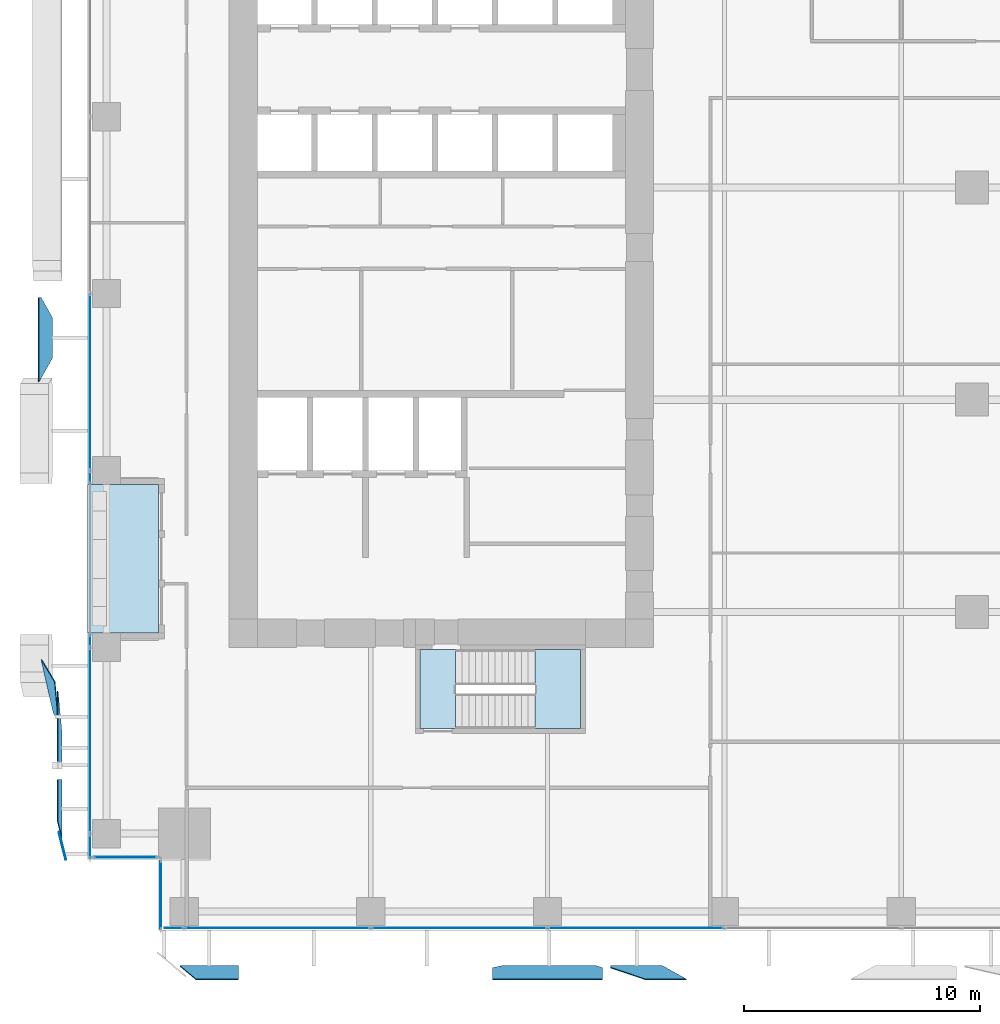
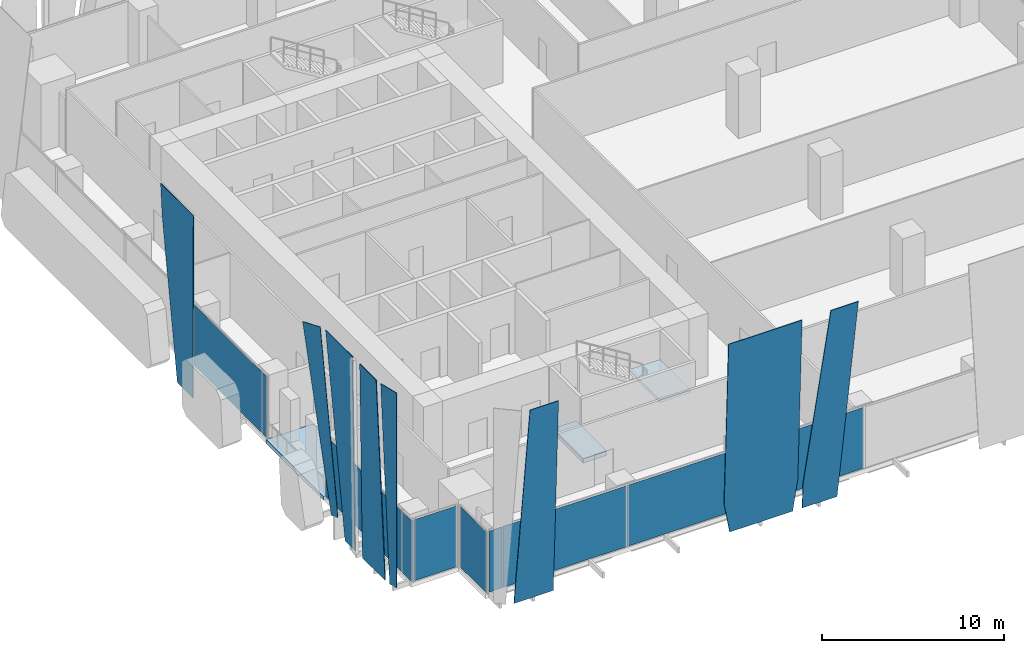
# One storey, part 23 of 36: 19 plates, 3 slabs, 6 elements without a shape of their own.
"""IFC4 building model written with IfcOpenShell, lengths in metres."""

from ifc_helpers import new_model, si_unit, direction, frame, origin, origin_2d, place, context, subcontext, project, spatial, polyline, rectangle, outline, extrude, source, transform, mapped, material, layer, layer_set, type_object, element, aggregate, save


model = new_model("IFC4")

# Units and contexts
model_context = context("Model", 3, precision=1e-05, world=origin(), true_north=direction((0.0, 1.0)))
body_context = subcontext(model_context, "Body", "Model", "MODEL_VIEW")
ifc_project = project(units=[si_unit("LENGTHUNIT", "METRE"), si_unit("AREAUNIT", "SQUARE_METRE"), si_unit("VOLUMEUNIT", "CUBIC_METRE"), si_unit("PLANEANGLEUNIT", "RADIAN"), si_unit("MASSUNIT", "GRAM", prefix="KILO")], contexts=[model_context])

# Site, building, storey
site_placement = place(None, origin())
site = spatial("IfcSite", under=ifc_project, at=site_placement, CompositionType="ELEMENT")
building_placement = place(site_placement, origin())
building = spatial("IfcBuilding", under=site, at=building_placement, Name="Khomas Fold Tower", CompositionType="ELEMENT")
storey_placement = place(building_placement, frame((0.0, 0.0, 46.5)))
storey = spatial("IfcBuildingStorey", under=building, at=storey_placement, Name="L09", CompositionType="ELEMENT", Elevation=46.5)

# Plates
ifc_material_1 = material(Name="Clear laminated glass", Category="glass")
ifc_layer_1 = layer(ifc_material_1, 0.0400390625)
ifc_layer_set_1 = layer_set([ifc_layer_1], Name="Clear laminated glass")
plate_type_1 = type_object("IfcPlateType", Name="SK-Clear laminated glass leaf", PredefinedType="SHEET", material=ifc_layer_set_1)
plate_1_placement = place(storey_placement, frame((6.39990234375, -1.4912109375, 0.0), z_axis=(0.0, 0.99904235518, 0.043753543365), x_axis=(-1.0, 0.0, 0.0)))
element("IfcPlate", 1, at=plate_1_placement, inside=storey, type_object=plate_type_1, Name="OUTER SKIN glass L09 SG098-1", PredefinedType="SHEET", context=body_context, shape_type="SweptSolid", body=[
    extrude(outline(polyline([(0.0, 0.0), (2.490234375, 0.0), (1.80419921875, 13.062558119247587), (0.0, 13.062558119247587), (0.0, 0.0)])), origin(), (0.0, 0.0, -1.0), 0.0400390625),
])
plate_2_placement = place(storey_placement, frame((24.369384765625, -1.4912109375, 0.0), z_axis=(3.78458e-07, 0.999042357056, 0.043753500513), x_axis=(-1.0, 3.78096e-07, 1.6559e-08)))
element("IfcPlate", 2, at=plate_2_placement, inside=storey, type_object=plate_type_1, Name="OUTER SKIN glass L09 SG102-3", PredefinedType="SHEET", context=body_context, shape_type="SweptSolid", body=[
    extrude(outline(polyline([(0.0, 0.0), (2.1994628906248423, 0.0), (2.199462890625407, 1.6126282411776396), (0.7189941406247364, 13.062558119247575), (-1.0222167968751388, 13.062558119247575), (0.0, 0.0)])), origin(), (0.0, 0.0, -1.0), 0.0400390625),
])
plate_3_placement = place(storey_placement, frame((21.55810546875, -1.4912109375, 0.0), z_axis=(1.3527666e-05, 0.999042347818, 0.043753709361), x_axis=(-0.999999999909, 1.3514711e-05, 5.91886e-07)))
element("IfcPlate", 3, at=plate_3_placement, inside=storey, type_object=plate_type_1, Name="OUTER SKIN glass L09 SG101-4", PredefinedType="SHEET", context=body_context, shape_type="SweptSolid", body=[
    extrude(outline(polyline([(0.0, 0.0), (3.9851074215103672, 4.2193966058447096e-22), (4.388183594433093, 2.06080791959904), (4.388183593377847, 13.062558119247408), (-0.27197265619575356, 13.062558119247408), (-0.27197265682636207, 2.102601442833285), (0.0, 0.0)])), origin(), (0.0, 0.0, -1.0), 0.0400390625),
])
plate_4_placement = place(storey_placement, frame((-1.077392578125, 6.39990234375, 0.0), z_axis=(0.999913772879, 0.0, 0.013131900334), x_axis=(0.0, -1.0, 0.0)))
element("IfcPlate", 4, at=plate_4_placement, inside=storey, type_object=plate_type_1, Name="OUTER SKIN glass L09 WG098-1", PredefinedType="SHEET", context=body_context, shape_type="SweptSolid", body=[
    extrude(outline(polyline([(0.0, 0.0), (2.490234375, 0.0), (1.80419921875, -13.05117419329811), (0.0, -13.05117419329811), (0.0, 0.0)])), origin(), (0.0, 0.0, -1.0), 0.0400390625),
])
plate_5_placement = place(storey_placement, frame((-1.237548828125, 4.185302734375, 13.050048828125), z_axis=(-0.970117971855, -0.242633717069, 5.007156e-06), x_axis=(0.013118658872, -0.052472701317, -0.998536186828)))
element("IfcPlate", 5, at=plate_5_placement, inside=storey, type_object=plate_type_1, Name="OUTER SKIN glass L09 WG098-2", PredefinedType="SHEET", context=body_context, shape_type="SweptSolid", body=[
    extrude(outline(polyline([(0.0, 0.0), (13.069179665788237, -1.1102230246251565e-16), (13.097574684069027, 0.5242122123253874), (0.06662868930792525, 1.230059854381724), (0.0, 0.0)])), origin(), (0.0, 0.0, -1.0), 0.0400390625),
])
plate_6_placement = place(storey_placement, frame((-1.077392578125, 8.30126953125, 0.0), z_axis=(0.999913772879, 0.0, 0.013131900334), x_axis=(0.0, -1.0, 0.0)))
element("IfcPlate", 6, at=plate_6_placement, inside=storey, type_object=plate_type_1, Name="OUTER SKIN glass L09 WG099-4", PredefinedType="SHEET", context=body_context, shape_type="SweptSolid", body=[
    extrude(outline(polyline([(0.0, 0.0), (1.13134765625, 0.0), (1.13134765625, -13.05117419329811), (-1.83984375, -13.05117419329811), (0.0, 0.0)])), origin(), (0.0, 0.0, -1.0), 0.0400390625),
])
plate_7_placement = place(storey_placement, frame((-1.404296875, 10.5244140625, 13.052490234375), z_axis=(-0.855931565456, -0.51346242378, 0.061135052319), x_axis=(-0.514424919135, 0.857535423494, -5.05962e-06)))
element("IfcPlate", 7, at=plate_7_placement, inside=storey, type_object=plate_type_1, Name="OUTER SKIN glass L09 WG099-5", PredefinedType="SHEET", context=body_context, shape_type="SweptSolid", body=[
    extrude(outline(polyline([(0.0, 0.0), (1.1089627711250831, -3.469446951953614e-18), (-1.1003376057080787, 11.822167721156822), (-1.5062650519393117, 11.82217540028891), (0.0, 0.0)])), origin(), (0.0, 0.0, -1.0), 0.0400390625),
])
plate_8_placement = place(storey_placement, frame((-2.062744140625, 23.243408203125, 13.050048828125), z_axis=(0.999042328872, -9.213671e-06, 0.043754143093), x_axis=(9.204848e-06, 0.999999999958, 4.03136e-07)))
element("IfcPlate", 8, at=plate_8_placement, inside=storey, type_object=plate_type_1, Name="OUTER SKIN glass L09 WG102-6", PredefinedType="SHEET", context=body_context, shape_type="SweptSolid", body=[
    extrude(outline(polyline([(0.0, 0.0), (3.586669921722761, 1.8987672467213327e-22), (3.586669922172712, -2.1861778072652327), (2.7355957029366365, -13.062558119245233), (1.0219726561343723, -13.062558119245233), (0.0, 0.0)])), origin(), (0.0, 0.0, -1.0), 0.0400390625),
])

# Curtain wall, plates
ifc_material_2 = material(Name="Aluminium framed double glazing", Category="aluminium")
curtain_wall_type = type_object("IfcCurtainWallType", Name="SK-Unitised clear-glass wall, growing floors CW1", PredefinedType="NOTDEFINED", material=ifc_material_2)
curtain_wall_1_placement = place(storey_placement, origin())
curtain_wall_1 = element("IfcCurtainWall", 9, at=curtain_wall_1_placement, inside=storey, type_object=curtain_wall_type, Name="CW1 run L09 00-0", PredefinedType="NOTDEFINED")
ifc_material_3 = material(Name="Clear double glazed unit")
ifc_layer_2 = layer(ifc_material_3, 0.031982421875)
ifc_layer_set_2 = layer_set([ifc_layer_2], Name="Clear double glazed unit")
plate_type_2 = type_object("IfcPlateType", Name="SK-Unitised clear-glass wall, growing floors glass panel CW1-P", PredefinedType="CURTAIN_PANEL", material=ifc_layer_set_2)
shared_shape_1 = source(origin(), body_context, "Body", "SweptSolid", [
    extrude(rectangle(XDim=0.81005859375, YDim=0.031982421875, at=origin_2d()), origin(), (0.0, 0.0, 1.0), 4.080078125),
])
plate_9_placement = place(storey_placement, frame((3.6650390625, 0.10009765625, 0.0), z_axis=(0.0, 0.0, 1.0), x_axis=(1.0, 0.0, 0.0)))
plate_9 = element("IfcPlate", 10, at=plate_9_placement, type_object=plate_type_2, Name="CW1 glass panel 1", PredefinedType="CURTAIN_PANEL", context=body_context, shape_type="MappedRepresentation", body=[
    mapped(shared_shape_1, transform((0.0, 0.0, 0.0))),
])
shared_shape_2 = source(origin(), body_context, "Body", "SweptSolid", [
    extrude(rectangle(XDim=7.840087890625, YDim=0.031982421875, at=origin_2d()), origin(), (0.0, 0.0, 1.0), 4.080078125),
])
plate_10_placement = place(storey_placement, frame((8.050048828125, 0.10009765625, 0.0), z_axis=(0.0, 0.0, 1.0), x_axis=(1.0, 0.0, 0.0)))
plate_10 = element("IfcPlate", 11, at=plate_10_placement, type_object=plate_type_2, Name="CW1 glass panel 2", PredefinedType="CURTAIN_PANEL", context=body_context, shape_type="MappedRepresentation", body=[
    mapped(shared_shape_2, transform((0.0, 0.0, 0.0))),
])

# Curtain wall, plate
curtain_wall_2_placement = place(storey_placement, origin())
curtain_wall_2 = element("IfcCurtainWall", 12, at=curtain_wall_2_placement, inside=storey, type_object=curtain_wall_type, Name="CW1 run L09 09-1", PredefinedType="NOTDEFINED")
plate_11_placement = place(storey_placement, frame((0.10009765625, 8.050048828125, 0.0), z_axis=(0.0, 0.0, 1.0), x_axis=(0.0, -1.0, 0.0)))
plate_11 = element("IfcPlate", 13, at=plate_11_placement, type_object=plate_type_2, Name="CW1 glass panel 2", PredefinedType="CURTAIN_PANEL", context=body_context, shape_type="MappedRepresentation", body=[
    mapped(shared_shape_2, transform((0.0, 0.0, 0.0))),
])

# Plate
shared_shape_3 = source(origin(), body_context, "Body", "SweptSolid", [
    extrude(rectangle(XDim=7.43994140625, YDim=0.031982421875, at=origin_2d()), origin(), (0.0, 0.0, 1.0), 4.080078125),
])
plate_12_placement = place(storey_placement, frame((15.75, 0.10009765625, 0.0), z_axis=(0.0, 0.0, 1.0), x_axis=(1.0, 0.0, 0.0)))
plate_12 = element("IfcPlate", 14, at=plate_12_placement, type_object=plate_type_2, Name="CW1 glass panel 3", PredefinedType="CURTAIN_PANEL", context=body_context, shape_type="MappedRepresentation", body=[
    mapped(shared_shape_3, transform((0.0, 0.0, 0.0))),
])

plate_13_placement = place(storey_placement, frame((23.25, 0.10009765625, 0.0), z_axis=(0.0, 0.0, 1.0), x_axis=(1.0, 0.0, 0.0)))
plate_13 = element("IfcPlate", 15, at=plate_13_placement, type_object=plate_type_2, Name="CW1 glass panel 4", PredefinedType="CURTAIN_PANEL", context=body_context, shape_type="MappedRepresentation", body=[
    mapped(shared_shape_3, transform((0.0, 0.0, 0.0))),
])

aggregate(curtain_wall_1, [plate_9, plate_10, plate_12, plate_13])

# Curtain wall, plate
curtain_wall_3_placement = place(storey_placement, origin())
curtain_wall_3 = element("IfcCurtainWall", 16, at=curtain_wall_3_placement, inside=storey, type_object=curtain_wall_type, Name="CW1 run L09 09-0", PredefinedType="NOTDEFINED")
plate_14_placement = place(storey_placement, frame((0.10009765625, 23.25, 0.0), z_axis=(0.0, 0.0, 1.0), x_axis=(0.0, -1.0, 0.0)))
plate_14 = element("IfcPlate", 17, at=plate_14_placement, type_object=plate_type_2, Name="CW1 glass panel 5", PredefinedType="CURTAIN_PANEL", context=body_context, shape_type="MappedRepresentation", body=[
    mapped(shared_shape_3, transform((0.0, 0.0, 0.0))),
])

# Plate
shared_shape_4 = source(origin(), body_context, "Body", "SweptSolid", [
    extrude(rectangle(XDim=1.010009765625, YDim=0.031982421875, at=origin_2d()), origin(), (0.0, 0.0, 1.0), 4.080078125),
])
plate_15_placement = place(storey_placement, frame((0.10009765625, 3.56494140625, 0.0), z_axis=(0.0, 0.0, 1.0), x_axis=(0.0, -1.0, 0.0)))
plate_15 = element("IfcPlate", 18, at=plate_15_placement, type_object=plate_type_2, Name="CW1 glass panel 3", PredefinedType="CURTAIN_PANEL", context=body_context, shape_type="MappedRepresentation", body=[
    mapped(shared_shape_4, transform((0.0, 0.0, 0.0))),
])

# Curtain wall, plate
curtain_wall_4_placement = place(storey_placement, origin())
curtain_wall_4 = element("IfcCurtainWall", 19, at=curtain_wall_4_placement, inside=storey, type_object=curtain_wall_type, Name="CW1 corner return L09 10", PredefinedType="NOTDEFINED")
shared_shape_5 = source(origin(), body_context, "Body", "SweptSolid", [
    extrude(rectangle(XDim=2.679931640625, YDim=0.031982421875, at=origin_2d()), origin(), (0.0, 0.0, 1.0), 4.080078125),
])
plate_16_placement = place(storey_placement, frame((1.60009765625, 3.10009765625, 0.0), z_axis=(0.0, 0.0, 1.0), x_axis=(1.0, 0.0, 0.0)))
plate_16 = element("IfcPlate", 20, at=plate_16_placement, type_object=plate_type_2, Name="CW1 glass panel 1", PredefinedType="CURTAIN_PANEL", context=body_context, shape_type="MappedRepresentation", body=[
    mapped(shared_shape_5, transform((0.0, 0.0, 0.0))),
])
aggregate(curtain_wall_4, [plate_16])

curtain_wall_5_placement = place(storey_placement, origin())
curtain_wall_5 = element("IfcCurtainWall", 21, at=curtain_wall_5_placement, inside=storey, type_object=curtain_wall_type, Name="CW1 corner return L09 11", PredefinedType="NOTDEFINED")
shared_shape_6 = source(origin(), body_context, "Body", "SweptSolid", [
    extrude(rectangle(XDim=2.8798828125, YDim=0.031982421875, at=origin_2d()), origin(), (0.0, 0.0, 1.0), 4.080078125),
])
plate_17_placement = place(storey_placement, frame((3.10009765625, 1.5, 0.0), z_axis=(0.0, 0.0, 1.0), x_axis=(0.0, -1.0, 0.0)))
plate_17 = element("IfcPlate", 22, at=plate_17_placement, type_object=plate_type_2, Name="CW1 glass panel 1", PredefinedType="CURTAIN_PANEL", context=body_context, shape_type="MappedRepresentation", body=[
    mapped(shared_shape_6, transform((0.0, 0.0, 0.0))),
])
aggregate(curtain_wall_5, [plate_17])

# Plate
shared_shape_7 = source(origin(), body_context, "Body", "SweptSolid", [
    extrude(rectangle(XDim=0.510009765625, YDim=0.031982421875, at=origin_2d()), origin(), (0.0, 0.0, 1.0), 4.080078125),
])
plate_18_placement = place(storey_placement, frame((0.10009765625, 19.215087890625, 0.0), z_axis=(0.0, 0.0, 1.0), x_axis=(0.0, -1.0, 0.0)))
plate_18 = element("IfcPlate", 23, at=plate_18_placement, type_object=plate_type_2, Name="CW1 glass panel 6", PredefinedType="CURTAIN_PANEL", context=body_context, shape_type="MappedRepresentation", body=[
    mapped(shared_shape_7, transform((0.0, 0.0, 0.0))),
])

aggregate(curtain_wall_3, [plate_14, plate_18])

plate_19_placement = place(storey_placement, frame((0.10009765625, 12.284912109375, 0.0), z_axis=(0.0, 0.0, 1.0), x_axis=(0.0, -1.0, 0.0)))
plate_19 = element("IfcPlate", 24, at=plate_19_placement, type_object=plate_type_2, Name="CW1 glass panel 1", PredefinedType="CURTAIN_PANEL", context=body_context, shape_type="MappedRepresentation", body=[
    mapped(shared_shape_7, transform((0.0, 0.0, 0.0))),
])

aggregate(curtain_wall_2, [plate_19, plate_11, plate_15])

# Slab
ifc_material_4 = material(Name="Concrete C40/50", Category="concrete")
ifc_layer_3 = layer(ifc_material_4, 0.2548828125)
ifc_layer_set_3 = layer_set([ifc_layer_3], Name="Concrete C40/50")
slab_type_1 = type_object("IfcSlabType", Name="BL-Balcony deck 255", PredefinedType="FLOOR", material=ifc_layer_set_3)
shared_shape_8 = source(origin(), body_context, "Body", "SweptSolid", [
    extrude(outline(polyline([(0.0, 12.60009765625), (3.0, 12.60009765625), (3.0, 18.89990234375), (0.0, 18.89990234375), (0.0, 12.60009765625)])), origin(), (0.0, 0.0, 1.0), 0.255126953125),
])
slab_1_placement = place(storey_placement, frame((0.0, 0.0, -0.300048828125)))
element("IfcSlab", 25, at=slab_1_placement, inside=storey, type_object=slab_type_1, Name="Balcony deck BAL-L09-W1", PredefinedType="FLOOR", context=body_context, shape_type="MappedRepresentation", body=[
    mapped(shared_shape_8, transform((0.0, 0.0, 0.0))),
])

# Stair, slab
ifc_material_5 = material(Name="Concrete C40/50", Category="concrete")
stair_type = type_object("IfcStairType", Name="Stair ST2", PredefinedType="HALF_TURN_STAIR", material=ifc_material_5)
stair_placement = place(storey_placement, origin())
stair = element("IfcStair", 26, at=stair_placement, inside=storey, type_object=stair_type, Name="L09 ST2", PredefinedType="HALF_TURN_STAIR")
ifc_material_6 = material(Name="Concrete C40/50", Category="concrete")
ifc_layer_4 = layer(ifc_material_6, 0.199951171875)
ifc_layer_set_4 = layer_set([ifc_layer_4], Name="Concrete C40/50")
slab_type_2 = type_object("IfcSlabType", Name="Stair landing 200", PredefinedType="LANDING", material=ifc_layer_set_4)
shared_shape_9 = source(origin(), body_context, "Body", "SweptSolid", [
    extrude(outline(polyline([(18.9599609375, 8.550048828125), (20.89990234375, 8.550048828125), (20.89990234375, 11.89990234375), (18.9599609375, 11.89990234375), (18.9599609375, 8.550048828125)])), origin(), (0.0, 0.0, 1.0), 0.199951171875),
])
slab_2_placement = place(storey_placement, frame((0.0, 0.0, 2.050048828125)))
slab_2 = element("IfcSlab", 27, at=slab_2_placement, type_object=slab_type_2, Name="ST2 landing 1", PredefinedType="LANDING", context=body_context, shape_type="MappedRepresentation", body=[
    mapped(shared_shape_9, transform((0.0, 0.0, 0.0))),
])
aggregate(stair, [slab_2])

# Slab
ifc_material_7 = material(Name="Concrete C40/50", Category="concrete")
ifc_layer_5 = layer(ifc_material_7, 0.300048828125)
ifc_layer_set_5 = layer_set([ifc_layer_5], Name="Concrete C40/50")
slab_type_3 = type_object("IfcSlabType", Name="Stair floor landing 300", PredefinedType="LANDING", material=ifc_layer_set_5)
shared_shape_10 = source(origin(), body_context, "Body", "SweptSolid", [
    extrude(outline(polyline([(15.60009765625, 8.550048828125), (14.10009765625, 8.550048828125), (14.10009765625, 11.89990234375), (15.60009765625, 11.89990234375), (15.60009765625, 8.550048828125)])), origin(), (0.0, 0.0, 1.0), 0.300048828125),
])
slab_3_placement = place(storey_placement, frame((0.0, 0.0, -0.300048828125)))
element("IfcSlab", 28, at=slab_3_placement, inside=storey, type_object=slab_type_3, Name="ST2 floor landing", PredefinedType="LANDING", context=body_context, shape_type="MappedRepresentation", body=[
    mapped(shared_shape_10, transform((0.0, 0.0, 0.0))),
])

save(model, "model.ifc")
